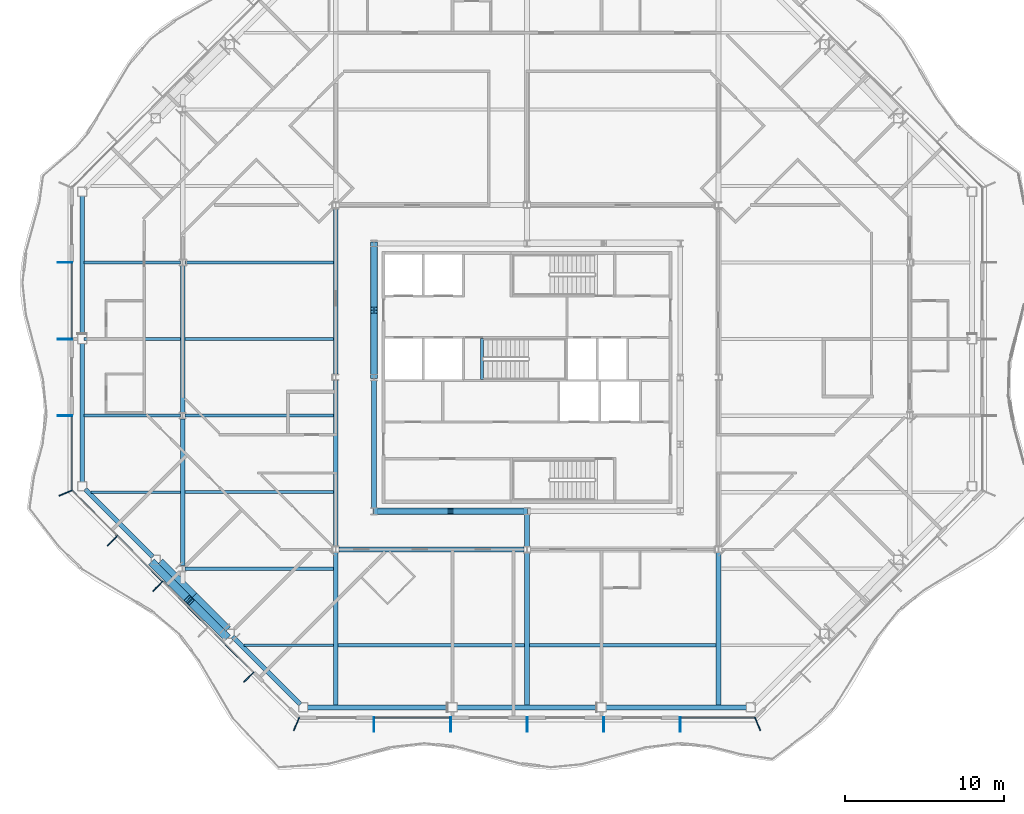
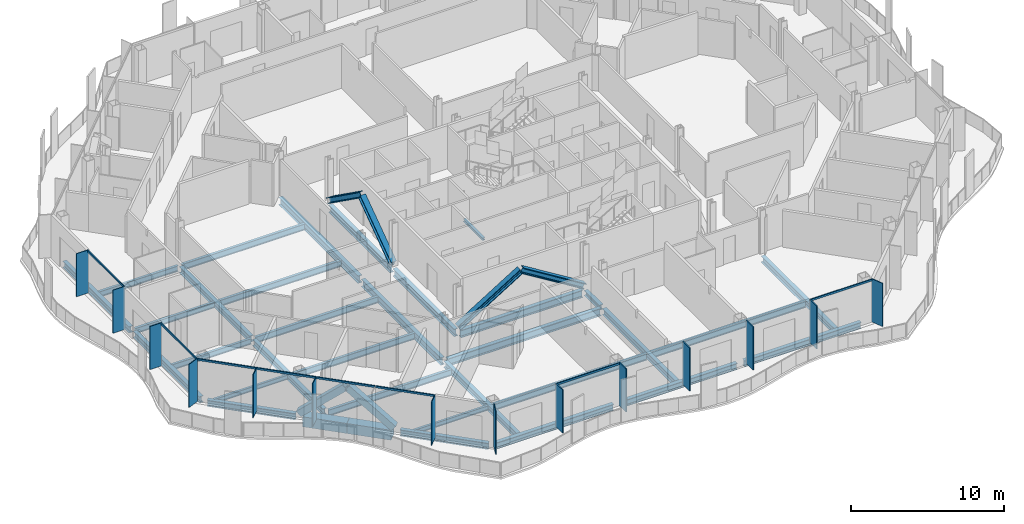
# One storey, part 3 of 21: 34 beams, 28 members, 4 elements without a shape of their own.
"""IFC4 building model written with IfcOpenShell, lengths in metres."""

from ifc_helpers import new_model, si_unit, direction, frame, origin, origin_2d, place, context, subcontext, project, spatial, rectangle, hollow_rectangle, i_section, extrude, material, material_profile, profile_set, type_object, element, aggregate, save


model = new_model("IFC4")

# Units and contexts
model_context = context("Model", 3, precision=1e-05, world=origin(), true_north=direction((0.0, 1.0)))
body_context = subcontext(model_context, "Body", "Model", "MODEL_VIEW")
ifc_project = project(units=[si_unit("LENGTHUNIT", "METRE"), si_unit("AREAUNIT", "SQUARE_METRE"), si_unit("VOLUMEUNIT", "CUBIC_METRE"), si_unit("PLANEANGLEUNIT", "RADIAN"), si_unit("MASSUNIT", "GRAM", prefix="KILO")], contexts=[model_context])

# Site, building, storey
site_placement = place(None, origin())
site = spatial("IfcSite", under=ifc_project, at=site_placement, CompositionType="ELEMENT")
building_placement = place(site_placement, origin())
building = spatial("IfcBuilding", under=site, at=building_placement, Name="Cairn Pilgrim Tower", CompositionType="ELEMENT")
storey_placement = place(building_placement, frame((0.0, 0.0, 168.60009765625)))
storey = spatial("IfcBuildingStorey", under=building, at=storey_placement, Name="L42", CompositionType="ELEMENT", Elevation=168.60009765625)

# Members
ifc_material_1 = material(Name="Structural steel S460M", Category="steel")
ifc_material_profile_1 = material_profile(ifc_material_1, hollow_rectangle(XDim=0.5, YDim=0.5, WallThickness=0.030029296875, at=origin_2d()), Name="BOX 500x500x30")
ifc_profile_set_1 = profile_set([ifc_material_profile_1], Name="Structural steel S460M")
member_type_1 = type_object("IfcMemberType", Name="BOX 500x500x30 BRACE", PredefinedType="BRACE", material=ifc_profile_set_1)
for number, where, z_axis, x_axis, name in (
    (1, (-16.243408203125, -9.2978515625, 0.14990234375), (0.532872437944, -0.54041586551, 0.651151024866), (0.712058976351, 0.702119658034, 0.0), "XB-SW2-SW3-1"),
    (2, (-11.697998046875, -13.84326171875, 0.14990234375), (-0.540432836476, 0.53283023714, 0.651171473306), (-0.702080283622, -0.712097799006, 0.0), "XB-SW2-SW3-2"),
):
    element("IfcMember", number, at=place(storey_placement, frame(where, z_axis=z_axis, x_axis=x_axis)), inside=storey, type_object=member_type_1, Name=name, PredefinedType="BRACE", context=body_context, shape_type="SweptSolid", body=[
        extrude(hollow_rectangle(XDim=0.5, YDim=0.5, WallThickness=0.030029296875, at=origin_2d()), origin(), (0.0, 0.0, 1.0), 4.142578125),
    ])

# Beams
ifc_material_2 = material(Name="Structural steel S355J2", Category="steel")
ifc_material_profile_2 = material_profile(ifc_material_2, hollow_rectangle(XDim=0.699951171875, YDim=0.800048828125, WallThickness=0.0400390625, at=origin_2d()), Name="BOX 700x800x40")
ifc_profile_set_2 = profile_set([ifc_material_profile_2], Name="Structural steel S355J2")
beam_type_1 = type_object("IfcBeamType", Name="BOX 700x800x40 RING GIRDER", PredefinedType="SPANDREL", material=ifc_profile_set_2)
beam_1_placement = place(storey_placement, frame((-15.884765625, -9.242431640625, -0.550048828125), z_axis=(0.707106781187, -0.707106781187, 0.0), x_axis=(0.707106781187, 0.707106781187, 0.0)))
element("IfcBeam", 3, at=beam_1_placement, inside=storey, type_object=beam_type_1, Name="RG2-SW2-SW3-1", PredefinedType="SPANDREL", context=body_context, shape_type="SweptSolid", body=[
    extrude(hollow_rectangle(XDim=0.699951171875, YDim=0.800048828125, WallThickness=0.0400390625, at=origin_2d()), origin(), (0.0, 0.0, 1.0), 2.999755859375),
])
beam_2_placement = place(storey_placement, frame((-13.763671875, -11.363525390625, -0.550048828125), z_axis=(0.707106781187, -0.707106781187, 0.0), x_axis=(0.707106781187, 0.707106781187, 0.0)))
element("IfcBeam", 4, at=beam_2_placement, inside=storey, type_object=beam_type_1, Name="RG2-SW2-SW3-2", PredefinedType="SPANDREL", context=body_context, shape_type="SweptSolid", body=[
    extrude(hollow_rectangle(XDim=0.699951171875, YDim=0.800048828125, WallThickness=0.0400390625, at=origin_2d()), origin(), (0.0, 0.0, 1.0), 3.0),
])

# Curtain wall, members
ifc_material_3 = material(Name="Aluminium alloy 6063-T6 bronze anodised with Bronze tinted laminated low-E glass 8+16+8.8", Category="aluminium")
curtain_wall_type_1 = type_object("IfcCurtainWallType", Name="TOWER STICK CURTAIN WALL NS", PredefinedType="NOTDEFINED", material=ifc_material_3)
curtain_wall_1_placement = place(storey_placement, origin())
curtain_wall_1 = element("IfcCurtainWall", 5, at=curtain_wall_1_placement, inside=storey, type_object=curtain_wall_type_1, Name="Tower Stick Curtain Wall Ns S", PredefinedType="NOTDEFINED")
ifc_material_4 = material(Name="Aluminium alloy 6063-T6 bronze anodised", Category="aluminium")
ifc_material_profile_3 = material_profile(ifc_material_4, rectangle(XDim=0.89990234375, YDim=0.06005859375, at=origin_2d()), Name="FIN MULLION 60x900 BRONZE")
ifc_profile_set_3 = profile_set([ifc_material_profile_3], Name="Aluminium alloy 6063-T6 bronze anodised")
member_type_2 = type_object("IfcMemberType", Name="FIN MULLION 60x900 BRONZE", PredefinedType="MULLION", material=ifc_profile_set_3)
member_1_placement = place(storey_placement, frame((-7.257080078125, -19.338134765625, 0.0), z_axis=(0.0, 0.0, 1.0), x_axis=(-0.382683432365, -0.923879532511, 0.0)))
member_1 = element("IfcMember", 6, at=member_1_placement, type_object=member_type_2, Name="Fin mullion S1", PredefinedType="MULLION", context=body_context, shape_type="SweptSolid", body=[
    extrude(rectangle(XDim=0.89990234375, YDim=0.06005859375, at=origin_2d()), origin(), (0.0, 0.0, 1.0), 3.449951171875),
])
member_2_placement = place(storey_placement, frame((-2.39990234375, -19.3701171875, 0.0), z_axis=(0.0, 0.0, 1.0), x_axis=(0.0, -1.0, 0.0)))
member_2 = element("IfcMember", 7, at=member_2_placement, type_object=member_type_2, Name="Fin mullion S2", PredefinedType="MULLION", context=body_context, shape_type="SweptSolid", body=[
    extrude(rectangle(XDim=0.89990234375, YDim=0.06005859375, at=origin_2d()), origin(), (0.0, 0.0, 1.0), 3.449951171875),
])
member_3_placement = place(storey_placement, frame((2.39990234375, -19.3701171875, 0.0), z_axis=(0.0, 0.0, 1.0), x_axis=(0.0, -1.0, 0.0)))
member_3 = element("IfcMember", 8, at=member_3_placement, type_object=member_type_2, Name="Fin mullion S3", PredefinedType="MULLION", context=body_context, shape_type="SweptSolid", body=[
    extrude(rectangle(XDim=0.89990234375, YDim=0.06005859375, at=origin_2d()), origin(), (0.0, 0.0, 1.0), 3.449951171875),
])
member_4_placement = place(storey_placement, frame((7.199951171875, -19.3701171875, 0.0), z_axis=(0.0, 0.0, 1.0), x_axis=(0.0, -1.0, 0.0)))
member_4 = element("IfcMember", 9, at=member_4_placement, type_object=member_type_2, Name="Fin mullion S4", PredefinedType="MULLION", context=body_context, shape_type="SweptSolid", body=[
    extrude(rectangle(XDim=0.89990234375, YDim=0.06005859375, at=origin_2d()), origin(), (0.0, 0.0, 1.0), 3.449951171875),
])
member_5_placement = place(storey_placement, frame((12.0, -19.3701171875, 0.0), z_axis=(0.0, 0.0, 1.0), x_axis=(0.0, -1.0, 0.0)))
member_5 = element("IfcMember", 10, at=member_5_placement, type_object=member_type_2, Name="Fin mullion S5", PredefinedType="MULLION", context=body_context, shape_type="SweptSolid", body=[
    extrude(rectangle(XDim=0.89990234375, YDim=0.06005859375, at=origin_2d()), origin(), (0.0, 0.0, 1.0), 3.449951171875),
])
member_6_placement = place(storey_placement, frame((16.800048828125, -19.3701171875, 0.0), z_axis=(0.0, 0.0, 1.0), x_axis=(0.0, -1.0, 0.0)))
member_6 = element("IfcMember", 11, at=member_6_placement, type_object=member_type_2, Name="Fin mullion S6", PredefinedType="MULLION", context=body_context, shape_type="SweptSolid", body=[
    extrude(rectangle(XDim=0.89990234375, YDim=0.06005859375, at=origin_2d()), origin(), (0.0, 0.0, 1.0), 3.449951171875),
])

# Curtain wall, member
curtain_wall_type_2 = type_object("IfcCurtainWallType", Name="CHAMFER CORNER CURTAIN WALL", PredefinedType="NOTDEFINED", material=ifc_material_3)
curtain_wall_2_placement = place(storey_placement, origin())
curtain_wall_2 = element("IfcCurtainWall", 12, at=curtain_wall_2_placement, inside=storey, type_object=curtain_wall_type_2, Name="Chamfer Corner Curtain Wall SE", PredefinedType="NOTDEFINED")
member_7_placement = place(storey_placement, frame((21.6572265625, -19.338134765625, 0.0), z_axis=(0.0, 0.0, 1.0), x_axis=(0.382683432365, -0.923879532511, 0.0)))
member_7 = element("IfcMember", 13, at=member_7_placement, type_object=member_type_2, Name="Fin mullion SE1", PredefinedType="MULLION", context=body_context, shape_type="SweptSolid", body=[
    extrude(rectangle(XDim=0.89990234375, YDim=0.06005859375, at=origin_2d()), origin(), (0.0, 0.0, 1.0), 3.449951171875),
])
aggregate(curtain_wall_2, [member_7])

# Curtain wall, members
curtain_wall_type_3 = type_object("IfcCurtainWallType", Name="TOWER STICK CURTAIN WALL EW", PredefinedType="NOTDEFINED", material=ifc_material_3)
curtain_wall_3_placement = place(storey_placement, origin())
curtain_wall_3 = element("IfcCurtainWall", 14, at=curtain_wall_3_placement, inside=storey, type_object=curtain_wall_type_3, Name="Tower Stick Curtain Wall Ew W", PredefinedType="NOTDEFINED")
member_8_placement = place(storey_placement, frame((-21.77001953125, 9.60009765625, 0.0), z_axis=(0.0, 0.0, 1.0), x_axis=(-1.0, 0.0, 0.0)))
member_8 = element("IfcMember", 15, at=member_8_placement, type_object=member_type_2, Name="Fin mullion W2", PredefinedType="MULLION", context=body_context, shape_type="SweptSolid", body=[
    extrude(rectangle(XDim=0.89990234375, YDim=0.06005859375, at=origin_2d()), origin(), (0.0, 0.0, 1.0), 3.449951171875),
])
member_9_placement = place(storey_placement, frame((-21.77001953125, 4.800048828125, 0.0), z_axis=(0.0, 0.0, 1.0), x_axis=(-1.0, 0.0, 0.0)))
member_9 = element("IfcMember", 16, at=member_9_placement, type_object=member_type_2, Name="Fin mullion W3", PredefinedType="MULLION", context=body_context, shape_type="SweptSolid", body=[
    extrude(rectangle(XDim=0.89990234375, YDim=0.06005859375, at=origin_2d()), origin(), (0.0, 0.0, 1.0), 3.449951171875),
])
member_10_placement = place(storey_placement, frame((-21.77001953125, 0.0, 0.0), z_axis=(0.0, 0.0, 1.0), x_axis=(-1.0, 0.0, 0.0)))
member_10 = element("IfcMember", 17, at=member_10_placement, type_object=member_type_2, Name="Fin mullion W4", PredefinedType="MULLION", context=body_context, shape_type="SweptSolid", body=[
    extrude(rectangle(XDim=0.89990234375, YDim=0.06005859375, at=origin_2d()), origin(), (0.0, 0.0, 1.0), 3.449951171875),
])

curtain_wall_4_placement = place(storey_placement, origin())
curtain_wall_4 = element("IfcCurtainWall", 18, at=curtain_wall_4_placement, inside=storey, type_object=curtain_wall_type_2, Name="Chamfer Corner Curtain Wall SW", PredefinedType="NOTDEFINED")
member_11_placement = place(storey_placement, frame((-21.738037109375, -4.857177734375, 0.0), z_axis=(0.0, 0.0, 1.0), x_axis=(-0.923879532511, -0.382683432365, 0.0)))
member_11 = element("IfcMember", 19, at=member_11_placement, type_object=member_type_2, Name="Fin mullion SW1", PredefinedType="MULLION", context=body_context, shape_type="SweptSolid", body=[
    extrude(rectangle(XDim=0.89990234375, YDim=0.06005859375, at=origin_2d()), origin(), (0.0, 0.0, 1.0), 3.449951171875),
])
member_12_placement = place(storey_placement, frame((-18.79638671875, -7.84423828125, 0.0), z_axis=(0.0, 0.0, 1.0), x_axis=(-0.707106781187, -0.707106781187, 0.0)))
member_12 = element("IfcMember", 20, at=member_12_placement, type_object=member_type_2, Name="Fin mullion SW2", PredefinedType="MULLION", context=body_context, shape_type="SweptSolid", body=[
    extrude(rectangle(XDim=0.89990234375, YDim=0.06005859375, at=origin_2d()), origin(), (0.0, 0.0, 1.0), 3.449951171875),
])
member_13_placement = place(storey_placement, frame((-15.945556640625, -10.69482421875, 0.0), z_axis=(0.0, 0.0, 1.0), x_axis=(-0.707106781187, -0.707106781187, 0.0)))
member_13 = element("IfcMember", 21, at=member_13_placement, type_object=member_type_2, Name="Fin mullion SW3", PredefinedType="MULLION", context=body_context, shape_type="SweptSolid", body=[
    extrude(rectangle(XDim=0.89990234375, YDim=0.06005859375, at=origin_2d()), origin(), (0.0, 0.0, 1.0), 3.449951171875),
])
member_14_placement = place(storey_placement, frame((-10.244140625, -16.396240234375, 0.0), z_axis=(0.0, 0.0, 1.0), x_axis=(-0.707106781187, -0.707106781187, 0.0)))
member_14 = element("IfcMember", 22, at=member_14_placement, type_object=member_type_2, Name="Fin mullion SW5", PredefinedType="MULLION", context=body_context, shape_type="SweptSolid", body=[
    extrude(rectangle(XDim=0.89990234375, YDim=0.06005859375, at=origin_2d()), origin(), (0.0, 0.0, 1.0), 3.449951171875),
])

# Members
ifc_material_profile_4 = material_profile(ifc_material_1, i_section(OverallWidth=0.408935546875, OverallDepth=0.425048828125, WebThickness=0.03271484375, FlangeThickness=0.052490234375, FilletRadius=0.014892578125, at=origin_2d()), Name="HD 400x421")
ifc_profile_set_4 = profile_set([ifc_material_profile_4], Name="Structural steel S460M")
member_type_3 = type_object("IfcMemberType", Name="HD 400x421 BRACE", PredefinedType="BRACE", material=ifc_profile_set_4)
for number, where, z_axis, x_axis, name in (
    (23, (-2.3583984375, -6.0, 0.099853515625), (0.851099832195, 0.0, 0.525003881545), (0.0, 1.0, 0.0), "KB-1A"),
    (24, (7.158447265625, -6.0, 0.099853515625), (-0.85111200398, 0.0, 0.524984148981), (0.0, -1.0, 0.0), "KB-1B"),
):
    element("IfcMember", number, at=place(storey_placement, frame(where, z_axis=z_axis, x_axis=x_axis)), inside=storey, type_object=member_type_3, Name=name, PredefinedType="BRACE", context=body_context, shape_type="SweptSolid", body=[
        extrude(i_section(OverallWidth=0.408935546875, OverallDepth=0.425048828125, WebThickness=0.03271484375, FlangeThickness=0.052490234375, FilletRadius=0.014892578125, at=origin_2d()), origin(), (0.0, 0.0, 1.0), 5.5283203125),
    ])
for number, where, z_axis, x_axis, name in (
    (25, (-2.39990234375, 10.75830078125, 0.099853515625), (0.0, -0.81433042856, 0.580401544727), (1.0, 0.0, 0.0), "KB-4A"),
    (26, (-2.39990234375, 2.441650390625, 0.099853515625), (0.0, 0.81433042856, 0.580401544727), (-1.0, 0.0, 0.0), "KB-4B"),
):
    element("IfcMember", number, at=place(storey_placement, frame(where, z_axis=z_axis, x_axis=x_axis)), inside=storey, type_object=member_type_3, Name=name, PredefinedType="BRACE", context=body_context, shape_type="SweptSolid", body=[
        extrude(i_section(OverallWidth=0.408935546875, OverallDepth=0.425048828125, WebThickness=0.03271484375, FlangeThickness=0.052490234375, FilletRadius=0.014892578125, at=origin_2d()), origin(), (0.0, 0.0, 1.0), 4.998046875),
    ])

# Beams
ifc_material_profile_5 = material_profile(ifc_material_2, i_section(OverallWidth=0.300048828125, OverallDepth=0.39990234375, WebThickness=0.013427734375, FlangeThickness=0.02392578125, FilletRadius=0.027099609375, at=origin_2d()), Name="HEB 400")
ifc_profile_set_5 = profile_set([ifc_material_profile_5], Name="Structural steel S355J2")
beam_type_2 = type_object("IfcBeamType", Name="HEB 400 GIRDER", PredefinedType="BEAM", material=ifc_profile_set_5)
beam_3_placement = place(storey_placement, frame((7.199951171875, -8.200439453125, -0.35009765625), z_axis=(0.0, 1.0, 0.0), x_axis=(-1.0, 0.0, 0.0)))
element("IfcBeam", 27, at=beam_3_placement, inside=storey, type_object=beam_type_2, Name="PG3-E1", PredefinedType="BEAM", context=body_context, shape_type="SweptSolid", body=[
    extrude(i_section(OverallWidth=0.300048828125, OverallDepth=0.39990234375, WebThickness=0.013427734375, FlangeThickness=0.02392578125, FilletRadius=0.027099609375, at=origin_2d()), origin(), (0.0, 0.0, 1.0), 1.992431640625),
])
ifc_material_profile_6 = material_profile(ifc_material_2, i_section(OverallWidth=0.300048828125, OverallDepth=0.5, WebThickness=0.014404296875, FlangeThickness=0.028076171875, FilletRadius=0.027099609375, at=origin_2d()), Name="HEB 500")
ifc_profile_set_6 = profile_set([ifc_material_profile_6], Name="Structural steel S355J2")
beam_type_3 = type_object("IfcBeamType", Name="HEB 500 GIRDER", PredefinedType="BEAM", material=ifc_profile_set_6)
for number, where, z_axis, x_axis, name in (
    (28, (-14.39990234375, -9.400390625, -0.400146484375), (0.0, 1.0, 0.0), (-1.0, 0.0, 0.0), "PG1-1"),
    (29, (-14.39990234375, 0.199462890625, -0.400146484375), (0.0, 1.0, 0.0), (-1.0, 0.0, 0.0), "PG1-2"),
):
    element("IfcBeam", number, at=place(storey_placement, frame(where, z_axis=z_axis, x_axis=x_axis)), inside=storey, type_object=beam_type_3, Name=name, PredefinedType="BEAM", context=body_context, shape_type="SweptSolid", body=[
        extrude(i_section(OverallWidth=0.300048828125, OverallDepth=0.5, WebThickness=0.014404296875, FlangeThickness=0.028076171875, FilletRadius=0.027099609375, at=origin_2d()), origin(), (0.0, 0.0, 1.0), 9.200927734375),
    ])
for number, where, z_axis, x_axis, name in (
    (30, (-4.800048828125, -18.179931640625, -0.400146484375), (0.0, 1.0, 0.0), (-1.0, 0.0, 0.0), "PG2-1"),
    (31, (7.199951171875, -18.179931640625, -0.400146484375), (0.0, 1.0, 0.0), (-1.0, 0.0, 0.0), "PG3-1"),
    (32, (19.199951171875, -18.179931640625, -0.400146484375), (0.0, 1.0, 0.0), (-1.0, 0.0, 0.0), "PG4-1"),
):
    element("IfcBeam", number, at=place(storey_placement, frame(where, z_axis=z_axis, x_axis=x_axis)), inside=storey, type_object=beam_type_3, Name=name, PredefinedType="BEAM", context=body_context, shape_type="SweptSolid", body=[
        extrude(i_section(OverallWidth=0.300048828125, OverallDepth=0.5, WebThickness=0.014404296875, FlangeThickness=0.028076171875, FilletRadius=0.027099609375, at=origin_2d()), origin(), (0.0, 0.0, 1.0), 9.580322265625),
    ])
ifc_material_profile_7 = material_profile(ifc_material_2, i_section(OverallWidth=0.300048828125, OverallDepth=0.5, WebThickness=0.014404296875, FlangeThickness=0.028076171875, FilletRadius=0.027099609375, at=origin_2d()), Name="HEB 500")
ifc_profile_set_7 = profile_set([ifc_material_profile_7], Name="Structural steel S355J2")
beam_type_4 = type_object("IfcBeamType", Name="HEB 500 RING GIRDER", PredefinedType="SPANDREL", material=ifc_profile_set_7)
for number, where, z_axis, x_axis, name in (
    (33, (-6.55712890625, -18.300048828125, -0.400146484375), (1.0, 0.0, 0.0), (0.0, 1.0, 0.0), "RG2-S1-S2"),
    (34, (2.794189453125, -18.300048828125, -0.400146484375), (1.0, 0.0, 0.0), (0.0, 1.0, 0.0), "RG2-S2-S3"),
    (35, (12.145751953125, -18.300048828125, -0.400146484375), (1.0, 0.0, 0.0), (0.0, 1.0, 0.0), "RG2-S3-SE1"),
):
    element("IfcBeam", number, at=place(storey_placement, frame(where, z_axis=z_axis, x_axis=x_axis)), inside=storey, type_object=beam_type_4, Name=name, PredefinedType="SPANDREL", context=body_context, shape_type="SweptSolid", body=[
        extrude(i_section(OverallWidth=0.300048828125, OverallDepth=0.5, WebThickness=0.014404296875, FlangeThickness=0.028076171875, FilletRadius=0.027099609375, at=origin_2d()), origin(), (0.0, 0.0, 1.0), 8.8115234375),
    ])
beam_4_placement = place(storey_placement, frame((-20.699951171875, 13.757080078125, -0.400146484375), z_axis=(0.0, -1.0, 0.0), x_axis=(1.0, 0.0, 0.0)))
element("IfcBeam", 36, at=beam_4_placement, inside=storey, type_object=beam_type_4, Name="RG2-W1-W2", PredefinedType="SPANDREL", context=body_context, shape_type="SweptSolid", body=[
    extrude(i_section(OverallWidth=0.300048828125, OverallDepth=0.5, WebThickness=0.014404296875, FlangeThickness=0.028076171875, FilletRadius=0.027099609375, at=origin_2d()), origin(), (0.0, 0.0, 1.0), 8.68701171875),
])
beam_5_placement = place(storey_placement, frame((-20.699951171875, 4.530029296875, -0.400146484375), z_axis=(0.0, -1.0, 0.0), x_axis=(1.0, 0.0, 0.0)))
element("IfcBeam", 37, at=beam_5_placement, inside=storey, type_object=beam_type_4, Name="RG2-W2-SW1", PredefinedType="SPANDREL", context=body_context, shape_type="SweptSolid", body=[
    extrude(i_section(OverallWidth=0.300048828125, OverallDepth=0.5, WebThickness=0.014404296875, FlangeThickness=0.028076171875, FilletRadius=0.027099609375, at=origin_2d()), origin(), (0.0, 0.0, 1.0), 8.687255859375),
])
for number, where, z_axis, x_axis, name in (
    (38, (-20.509033203125, -4.6181640625, -0.400146484375), (0.707106781187, -0.707106781187, 0.0), (0.707106781187, 0.707106781187, 0.0), "RG2-SW1-SW2"),
    (39, (-11.260498046875, -13.86669921875, -0.400146484375), (0.707106781187, -0.707106781187, 0.0), (0.707106781187, 0.707106781187, 0.0), "RG2-SW3-S1"),
):
    element("IfcBeam", number, at=place(storey_placement, frame(where, z_axis=z_axis, x_axis=x_axis)), inside=storey, type_object=beam_type_4, Name=name, PredefinedType="SPANDREL", context=body_context, shape_type="SweptSolid", body=[
        extrude(i_section(OverallWidth=0.300048828125, OverallDepth=0.5, WebThickness=0.014404296875, FlangeThickness=0.028076171875, FilletRadius=0.027099609375, at=origin_2d()), origin(), (0.0, 0.0, 1.0), 5.999755859375),
    ])
ifc_material_profile_8 = material_profile(ifc_material_2, i_section(OverallWidth=0.300048828125, OverallDepth=0.60009765625, WebThickness=0.015380859375, FlangeThickness=0.030029296875, FilletRadius=0.027099609375, at=origin_2d()), Name="HEB 600")
ifc_profile_set_8 = profile_set([ifc_material_profile_8], Name="Structural steel S355J2")
beam_type_5 = type_object("IfcBeamType", Name="HEB 600 CORE BEAM", PredefinedType="BEAM", material=ifc_profile_set_8)
beam_6_placement = place(storey_placement, frame((-2.212890625, -6.0, -0.4501953125), z_axis=(1.0, 0.0, 0.0), x_axis=(0.0, 1.0, 0.0)))
element("IfcBeam", 40, at=beam_6_placement, inside=storey, type_object=beam_type_5, Name="CB-1", PredefinedType="BEAM", context=body_context, shape_type="SweptSolid", body=[
    extrude(i_section(OverallWidth=0.300048828125, OverallDepth=0.60009765625, WebThickness=0.015380859375, FlangeThickness=0.030029296875, FilletRadius=0.027099609375, at=origin_2d()), origin(), (0.0, 0.0, 1.0), 9.2255859375),
])
for number, where, z_axis, x_axis, name in (
    (41, (-2.39990234375, 10.61279296875, -0.4501953125), (0.0, -1.0, 0.0), (1.0, 0.0, 0.0), "CB-7"),
    (42, (-2.39990234375, 2.212890625, -0.4501953125), (0.0, -1.0, 0.0), (1.0, 0.0, 0.0), "CB-8"),
):
    element("IfcBeam", number, at=place(storey_placement, frame(where, z_axis=z_axis, x_axis=x_axis)), inside=storey, type_object=beam_type_5, Name=name, PredefinedType="BEAM", context=body_context, shape_type="SweptSolid", body=[
        extrude(i_section(OverallWidth=0.300048828125, OverallDepth=0.60009765625, WebThickness=0.015380859375, FlangeThickness=0.030029296875, FilletRadius=0.027099609375, at=origin_2d()), origin(), (0.0, 0.0, 1.0), 8.025634765625),
    ])
ifc_material_profile_9 = material_profile(ifc_material_2, i_section(OverallWidth=0.300048828125, OverallDepth=0.60009765625, WebThickness=0.015380859375, FlangeThickness=0.030029296875, FilletRadius=0.027099609375, at=origin_2d()), Name="HEB 600")
ifc_profile_set_9 = profile_set([ifc_material_profile_9], Name="Structural steel S355J2")
beam_type_6 = type_object("IfcBeamType", Name="HEB 600 GIRDER", PredefinedType="BEAM", material=ifc_profile_set_9)
for number, where, z_axis, x_axis, name in (
    (43, (-4.800048828125, -8.200439453125, -0.4501953125), (0.0, 1.0, 0.0), (-1.0, 0.0, 0.0), "PG2-2"),
    (44, (-4.800048828125, 2.599609375, -0.4501953125), (0.0, 1.0, 0.0), (-1.0, 0.0, 0.0), "PG2-3"),
):
    element("IfcBeam", number, at=place(storey_placement, frame(where, z_axis=z_axis, x_axis=x_axis)), inside=storey, type_object=beam_type_6, Name=name, PredefinedType="BEAM", context=body_context, shape_type="SweptSolid", body=[
        extrude(i_section(OverallWidth=0.300048828125, OverallDepth=0.60009765625, WebThickness=0.015380859375, FlangeThickness=0.030029296875, FilletRadius=0.027099609375, at=origin_2d()), origin(), (0.0, 0.0, 1.0), 10.40087890625),
    ])
ifc_material_profile_10 = material_profile(ifc_material_2, i_section(OverallWidth=0.300048828125, OverallDepth=0.60009765625, WebThickness=0.015380859375, FlangeThickness=0.030029296875, FilletRadius=0.027099609375, at=origin_2d()), Name="HEB 600")
ifc_profile_set_10 = profile_set([ifc_material_profile_10], Name="Structural steel S355J2")
beam_type_7 = type_object("IfcBeamType", Name="HEB 600 INNER GIRDER", PredefinedType="BEAM", material=ifc_profile_set_10)
beam_7_placement = place(storey_placement, frame((-4.6005859375, -8.39990234375, -0.4501953125), z_axis=(1.0, 0.0, 0.0), x_axis=(0.0, 1.0, 0.0)))
element("IfcBeam", 45, at=beam_7_placement, inside=storey, type_object=beam_type_7, Name="IG1-1", PredefinedType="BEAM", context=body_context, shape_type="SweptSolid", body=[
    extrude(i_section(OverallWidth=0.300048828125, OverallDepth=0.60009765625, WebThickness=0.015380859375, FlangeThickness=0.030029296875, FilletRadius=0.027099609375, at=origin_2d()), origin(), (0.0, 0.0, 1.0), 11.60107421875),
])
ifc_material_profile_11 = material_profile(ifc_material_2, i_section(OverallWidth=0.169921875, OverallDepth=0.360107421875, WebThickness=0.008056640625, FlangeThickness=0.0126953125, FilletRadius=0.01806640625, at=origin_2d()), Name="IPE 360")
ifc_profile_set_11 = profile_set([ifc_material_profile_11], Name="Structural steel S355J2")
beam_type_8 = type_object("IfcBeamType", Name="IPE 360 SECONDARY BEAM", PredefinedType="JOIST", material=ifc_profile_set_11)
beam_8_placement = place(storey_placement, frame((-10.545166015625, -14.39990234375, -0.330078125), z_axis=(1.0, 0.0, 0.0), x_axis=(0.0, 1.0, 0.0)))
element("IfcBeam", 46, at=beam_8_placement, inside=storey, type_object=beam_type_8, Name="SB1-1", PredefinedType="JOIST", context=body_context, shape_type="SweptSolid", body=[
    extrude(i_section(OverallWidth=0.169921875, OverallDepth=0.360107421875, WebThickness=0.008056640625, FlangeThickness=0.0126953125, FilletRadius=0.01806640625, at=origin_2d()), origin(), (0.0, 0.0, 1.0), 5.59521484375),
])
beam_9_placement = place(storey_placement, frame((-20.14501953125, -4.800048828125, -0.330078125), z_axis=(1.0, 0.0, 0.0), x_axis=(0.0, 1.0, 0.0)))
element("IfcBeam", 47, at=beam_9_placement, inside=storey, type_object=beam_type_8, Name="SB3-1", PredefinedType="JOIST", context=body_context, shape_type="SweptSolid", body=[
    extrude(i_section(OverallWidth=0.169921875, OverallDepth=0.360107421875, WebThickness=0.008056640625, FlangeThickness=0.0126953125, FilletRadius=0.01806640625, at=origin_2d()), origin(), (0.0, 0.0, 1.0), 5.594970703125),
])
ifc_material_profile_12 = material_profile(ifc_material_2, i_section(OverallWidth=0.18994140625, OverallDepth=0.449951171875, WebThickness=0.009521484375, FlangeThickness=0.0146484375, FilletRadius=0.02099609375, at=origin_2d()), Name="IPE 450")
ifc_profile_set_12 = profile_set([ifc_material_profile_12], Name="Structural steel S355J2")
beam_type_9 = type_object("IfcBeamType", Name="IPE 450 SECONDARY BEAM", PredefinedType="JOIST", material=ifc_profile_set_12)
for number, where, z_axis, x_axis, name in (
    (48, (-20.580078125, 0.0, -0.375), (1.0, 0.0, 0.0), (0.0, 1.0, 0.0), "SB4-1"),
    (49, (-20.580078125, 4.800048828125, -0.375), (1.0, 0.0, 0.0), (0.0, 1.0, 0.0), "SB5-1"),
    (50, (-20.580078125, 9.60009765625, -0.375), (1.0, 0.0, 0.0), (0.0, 1.0, 0.0), "SB6-1"),
):
    element("IfcBeam", number, at=place(storey_placement, frame(where, z_axis=z_axis, x_axis=x_axis)), inside=storey, type_object=beam_type_9, Name=name, PredefinedType="JOIST", context=body_context, shape_type="SweptSolid", body=[
        extrude(i_section(OverallWidth=0.18994140625, OverallDepth=0.449951171875, WebThickness=0.009521484375, FlangeThickness=0.0146484375, FilletRadius=0.02099609375, at=origin_2d()), origin(), (0.0, 0.0, 1.0), 6.030029296875),
    ])
ifc_material_profile_13 = material_profile(ifc_material_2, i_section(OverallWidth=0.199951171875, OverallDepth=0.5, WebThickness=0.01025390625, FlangeThickness=0.01611328125, FilletRadius=0.02099609375, at=origin_2d()), Name="IPE 500")
ifc_profile_set_13 = profile_set([ifc_material_profile_13], Name="Structural steel S355J2")
beam_type_10 = type_object("IfcBeamType", Name="IPE 500 SECONDARY BEAM", PredefinedType="JOIST", material=ifc_profile_set_13)
for number, where, z_axis, x_axis, name in (
    (51, (-14.25, -9.60009765625, -0.400146484375), (1.0, 0.0, 0.0), (0.0, 1.0, 0.0), "SB2-1"),
    (52, (-14.25, -4.800048828125, -0.400146484375), (1.0, 0.0, 0.0), (0.0, 1.0, 0.0), "SB3-2"),
    (53, (-14.25, 0.0, -0.400146484375), (1.0, 0.0, 0.0), (0.0, 1.0, 0.0), "SB4-2"),
    (54, (-14.25, 4.800048828125, -0.400146484375), (1.0, 0.0, 0.0), (0.0, 1.0, 0.0), "SB5-2"),
    (55, (-14.25, 9.60009765625, -0.400146484375), (1.0, 0.0, 0.0), (0.0, 1.0, 0.0), "SB6-2"),
):
    element("IfcBeam", number, at=place(storey_placement, frame(where, z_axis=z_axis, x_axis=x_axis)), inside=storey, type_object=beam_type_10, Name=name, PredefinedType="JOIST", context=body_context, shape_type="SweptSolid", body=[
        extrude(i_section(OverallWidth=0.199951171875, OverallDepth=0.5, WebThickness=0.01025390625, FlangeThickness=0.01611328125, FilletRadius=0.02099609375, at=origin_2d()), origin(), (0.0, 0.0, 1.0), 9.300048828125),
    ])
ifc_material_profile_14 = material_profile(ifc_material_2, i_section(OverallWidth=0.2099609375, OverallDepth=0.550048828125, WebThickness=0.010986328125, FlangeThickness=0.01708984375, FilletRadius=0.02392578125, at=origin_2d()), Name="IPE 550")
ifc_profile_set_14 = profile_set([ifc_material_profile_14], Name="Structural steel S355J2")
beam_type_11 = type_object("IfcBeamType", Name="IPE 550 SECONDARY BEAM", PredefinedType="JOIST", material=ifc_profile_set_14)
for number, where, z_axis, x_axis, name in (
    (56, (-4.64990234375, -14.39990234375, -0.425048828125), (1.0, 0.0, 0.0), (0.0, 1.0, 0.0), "SB1-2"),
    (57, (7.35009765625, -14.39990234375, -0.425048828125), (1.0, 0.0, 0.0), (0.0, 1.0, 0.0), "SB1-3"),
):
    element("IfcBeam", number, at=place(storey_placement, frame(where, z_axis=z_axis, x_axis=x_axis)), inside=storey, type_object=beam_type_11, Name=name, PredefinedType="JOIST", context=body_context, shape_type="SweptSolid", body=[
        extrude(i_section(OverallWidth=0.2099609375, OverallDepth=0.550048828125, WebThickness=0.010986328125, FlangeThickness=0.01708984375, FilletRadius=0.02392578125, at=origin_2d()), origin(), (0.0, 0.0, 1.0), 11.699951171875),
    ])
ifc_material_profile_15 = material_profile(ifc_material_2, i_section(OverallWidth=0.199951171875, OverallDepth=0.199951171875, WebThickness=0.009033203125, FlangeThickness=0.014892578125, FilletRadius=0.01806640625, at=origin_2d()), Name="HE 200 B")
ifc_profile_set_15 = profile_set([ifc_material_profile_15], Name="Structural steel S355J2")
beam_type_12 = type_object("IfcBeamType", Name="STAIR LANDING BEAM HE 200 B", PredefinedType="BEAM", material=ifc_profile_set_15)
beam_10_placement = place(storey_placement, frame((4.37548828125, 2.27490234375, -0.25), z_axis=(0.0, 1.0, 0.0), x_axis=(-1.0, 0.0, 0.0)))
element("IfcBeam", 58, at=beam_10_placement, inside=storey, type_object=beam_type_12, Name="STAIR LANDING BEAM LD-HE200B", PredefinedType="BEAM", context=body_context, shape_type="SweptSolid", body=[
    extrude(i_section(OverallWidth=0.199951171875, OverallDepth=0.199951171875, WebThickness=0.009033203125, FlangeThickness=0.014892578125, FilletRadius=0.01806640625, at=origin_2d()), origin(), (0.0, 0.0, 1.0), 2.550048828125),
])

# Member
ifc_material_profile_16 = material_profile(ifc_material_4, rectangle(XDim=0.080078125, YDim=0.14990234375, at=origin_2d()), Name="TRANSOM 80x150 BRONZE")
ifc_profile_set_16 = profile_set([ifc_material_profile_16], Name="Aluminium alloy 6063-T6 bronze anodised")
member_type_4 = type_object("IfcMemberType", Name="TRANSOM 80x150 BRONZE", PredefinedType="USERDEFINED", material=ifc_profile_set_16)
member_15_placement = place(storey_placement, frame((-2.3701171875, -18.949951171875, 3.375), z_axis=(1.0, 0.0, 0.0), x_axis=(0.0, 1.0, 0.0)))
member_15 = element("IfcMember", 59, at=member_15_placement, type_object=member_type_4, Name="Transom S2", ObjectType="TRANSOM", PredefinedType="USERDEFINED", context=body_context, shape_type="SweptSolid", body=[
    extrude(rectangle(XDim=0.080078125, YDim=0.14990234375, at=origin_2d()), origin(), (0.0, 0.0, 1.0), 4.740234375),
])

member_16_placement = place(storey_placement, frame((16.830078125, -18.949951171875, 3.375), z_axis=(1.0, 0.0, 0.0), x_axis=(0.0, 1.0, 0.0)))
member_16 = element("IfcMember", 60, at=member_16_placement, type_object=member_type_4, Name="Transom S6", ObjectType="TRANSOM", PredefinedType="USERDEFINED", context=body_context, shape_type="SweptSolid", body=[
    extrude(rectangle(XDim=0.080078125, YDim=0.14990234375, at=origin_2d()), origin(), (0.0, 0.0, 1.0), 4.62646484375),
])

aggregate(curtain_wall_1, [member_1, member_2, member_3, member_4, member_5, member_6, member_15, member_16])

member_17_placement = place(storey_placement, frame((-21.35009765625, 9.570068359375, 3.375), z_axis=(0.0, -1.0, 0.0), x_axis=(1.0, 0.0, 0.0)))
member_17 = element("IfcMember", 61, at=member_17_placement, type_object=member_type_4, Name="Transom W2", ObjectType="TRANSOM", PredefinedType="USERDEFINED", context=body_context, shape_type="SweptSolid", body=[
    extrude(rectangle(XDim=0.080078125, YDim=0.14990234375, at=origin_2d()), origin(), (0.0, 0.0, 1.0), 4.739990234375),
])

member_18_placement = place(storey_placement, frame((-21.35009765625, -0.030029296875, 3.375), z_axis=(0.0, -1.0, 0.0), x_axis=(1.0, 0.0, 0.0)))
member_18 = element("IfcMember", 62, at=member_18_placement, type_object=member_type_4, Name="Transom W4", ObjectType="TRANSOM", PredefinedType="USERDEFINED", context=body_context, shape_type="SweptSolid", body=[
    extrude(rectangle(XDim=0.080078125, YDim=0.14990234375, at=origin_2d()), origin(), (0.0, 0.0, 1.0), 4.62646484375),
])

aggregate(curtain_wall_3, [member_8, member_9, member_10, member_17, member_18])

member_19_placement = place(storey_placement, frame((-21.32177734375, -4.724609375, 3.375), z_axis=(0.707106781187, -0.707106781187, 0.0), x_axis=(0.707106781187, 0.707106781187, 0.0)))
member_19 = element("IfcMember", 63, at=member_19_placement, type_object=member_type_4, Name="Transom SW1", ObjectType="TRANSOM", PredefinedType="USERDEFINED", context=body_context, shape_type="SweptSolid", body=[
    extrude(rectangle(XDim=0.080078125, YDim=0.14990234375, at=origin_2d()), origin(), (0.0, 0.0, 1.0), 3.961669921875),
])

member_20_placement = place(storey_placement, frame((-18.47802734375, -7.568359375, 3.375), z_axis=(0.707106781187, -0.707106781187, 0.0), x_axis=(0.707106781187, 0.707106781187, 0.0)))
member_20 = element("IfcMember", 64, at=member_20_placement, type_object=member_type_4, Name="Transom SW2", ObjectType="TRANSOM", PredefinedType="USERDEFINED", context=body_context, shape_type="SweptSolid", body=[
    extrude(rectangle(XDim=0.080078125, YDim=0.14990234375, at=origin_2d()), origin(), (0.0, 0.0, 1.0), 3.9716796875),
])

member_21_placement = place(storey_placement, frame((-15.62744140625, -10.419189453125, 3.375), z_axis=(0.70713751761, -0.707076043427, 0.0), x_axis=(0.707076043427, 0.70713751761, 0.0)))
member_21 = element("IfcMember", 65, at=member_21_placement, type_object=member_type_4, Name="Transom SW3", ObjectType="TRANSOM", PredefinedType="USERDEFINED", context=body_context, shape_type="SweptSolid", body=[
    extrude(rectangle(XDim=0.080078125, YDim=0.14990234375, at=origin_2d()), origin(), (0.0, 0.0, 1.0), 3.971435546875),
])

member_22_placement = place(storey_placement, frame((-12.776611328125, -13.269775390625, 3.375), z_axis=(0.707106781187, -0.707106781187, 0.0), x_axis=(0.707106781187, 0.707106781187, 0.0)))
member_22 = element("IfcMember", 66, at=member_22_placement, type_object=member_type_4, Name="Transom SW4", ObjectType="TRANSOM", PredefinedType="USERDEFINED", context=body_context, shape_type="SweptSolid", body=[
    extrude(rectangle(XDim=0.080078125, YDim=0.14990234375, at=origin_2d()), origin(), (0.0, 0.0, 1.0), 3.9716796875),
])

aggregate(curtain_wall_4, [member_11, member_12, member_13, member_14, member_19, member_20, member_21, member_22])

save(model, "model.ifc")
